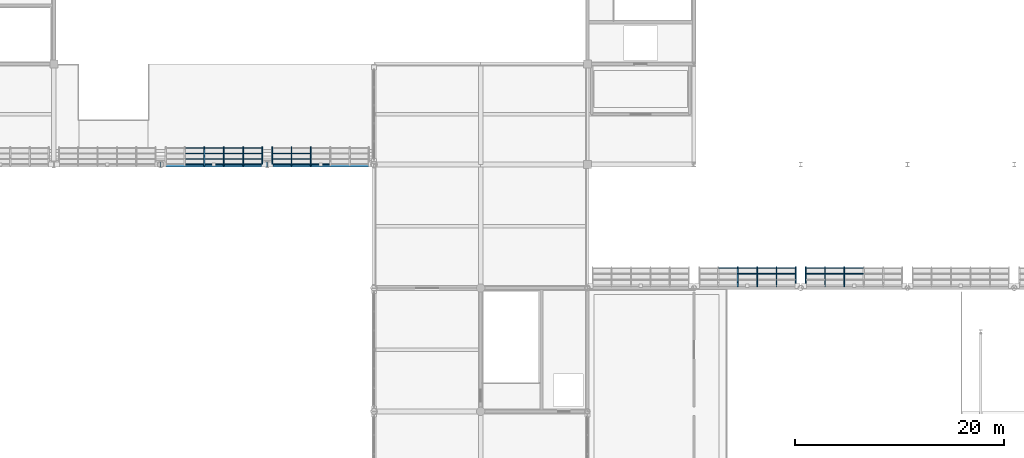
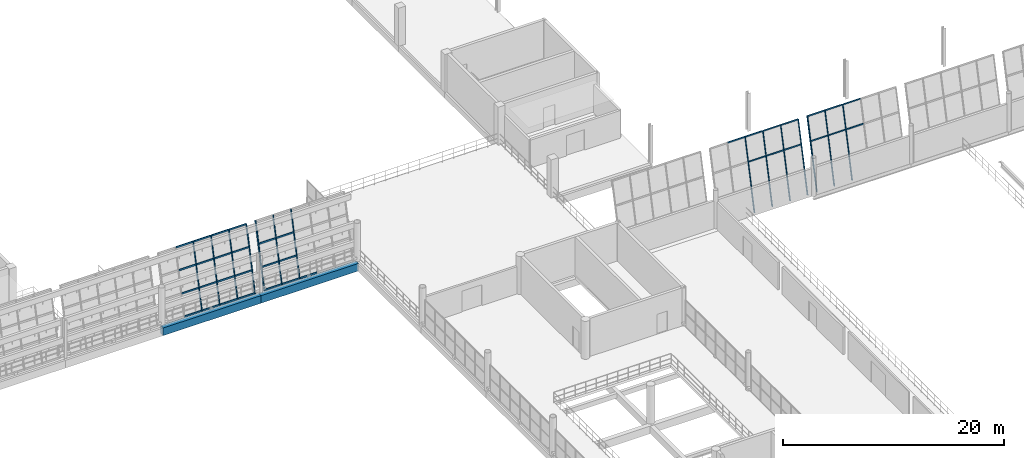
# One storey, part 79 of 157: 50 members, 2 beams, 4 elements without a shape of their own.
"""IFC4 building model written with IfcOpenShell, lengths in metres."""

from ifc_helpers import new_model, si_unit, direction, frame, origin, origin_2d, place, context, subcontext, project, spatial, rectangle, hollow_rectangle, extrude, material, material_profile, profile_set, type_object, element, aggregate, save


model = new_model("IFC4")

# Units and contexts
model_context = context("Model", 3, precision=1e-05, world=origin(), true_north=direction((0.0, 1.0)))
body_context = subcontext(model_context, "Body", "Model", "MODEL_VIEW")
ifc_project = project(units=[si_unit("LENGTHUNIT", "METRE"), si_unit("AREAUNIT", "SQUARE_METRE"), si_unit("VOLUMEUNIT", "CUBIC_METRE"), si_unit("PLANEANGLEUNIT", "RADIAN"), si_unit("MASSUNIT", "GRAM", prefix="KILO")], contexts=[model_context])

# Site, building, storey
site_placement = place(None, origin())
site = spatial("IfcSite", under=ifc_project, at=site_placement, CompositionType="ELEMENT")
building_placement = place(site_placement, origin())
building = spatial("IfcBuilding", under=site, at=building_placement, Name="Brelvane Convention Centre", CompositionType="ELEMENT")
storey_placement = place(building_placement, frame((0.0, 0.0, 10.800048828125)))
storey = spatial("IfcBuildingStorey", under=building, at=storey_placement, Name="L02", CompositionType="ELEMENT", Elevation=10.800048828125)

# Curtain wall, members
ifc_material_1 = material(Name="Anodised Aluminium Alloy 6063-T6", Category="aluminium")
curtain_wall_type = type_object("IfcCurtainWallType", Name="Curtain Wall CW-HULL-N", PredefinedType="USERDEFINED", material=ifc_material_1)
curtain_wall_1_placement = place(storey_placement, origin())
curtain_wall_1 = element("IfcCurtainWall", 1, at=curtain_wall_1_placement, inside=storey, type_object=curtain_wall_type, Name="Curtain Wall CW-HULL-N L02-V1N-HULL-13", ObjectType="UNITISED", PredefinedType="USERDEFINED")
ifc_material_2 = material(Name="Anodised Aluminium Alloy 6063-T6", Category="aluminium")
ifc_material_profile_1 = material_profile(ifc_material_2, hollow_rectangle(XDim=0.080078125, YDim=0.239990234375, WallThickness=0.006103515625, InnerFilletRadius=0.006103515625, OuterFilletRadius=0.011962890625, at=origin_2d()), Name="ALU-M 240x80x6.0")
ifc_profile_set_1 = profile_set([ifc_material_profile_1], Name="Anodised Aluminium Alloy 6063-T6")
member_type_1 = type_object("IfcMemberType", Name="Curtain Mullion CW-M1", PredefinedType="MULLION", material=ifc_profile_set_1)
member_1_placement = place(storey_placement, frame((126.570068359375, 99.60009765625, 0.0), z_axis=(0.0, 0.228324840492, 0.973585007698), x_axis=(-1.0, 0.0, 0.0)))
member_1 = element("IfcMember", 2, at=member_1_placement, type_object=member_type_1, Name="CW-HULL-N mullion 3", PredefinedType="MULLION", context=body_context, shape_type="SweptSolid", body=[
    extrude(hollow_rectangle(XDim=0.080078125, YDim=0.239990234375, WallThickness=0.006103515625, InnerFilletRadius=0.006103515625, OuterFilletRadius=0.011962890625, at=origin_2d()), origin(), (0.0, 0.0, 1.0), 6.93310546875),
])
member_2_placement = place(storey_placement, frame((128.429931640625, 99.60009765625, 0.0), z_axis=(0.0, 0.228324840492, 0.973585007698), x_axis=(-1.0, 0.0, 0.0)))
member_2 = element("IfcMember", 3, at=member_2_placement, type_object=member_type_1, Name="CW-HULL-N mullion 4", PredefinedType="MULLION", context=body_context, shape_type="SweptSolid", body=[
    extrude(hollow_rectangle(XDim=0.080078125, YDim=0.239990234375, WallThickness=0.006103515625, InnerFilletRadius=0.006103515625, OuterFilletRadius=0.011962890625, at=origin_2d()), origin(), (0.0, 0.0, 1.0), 6.93310546875),
])
member_3_placement = place(storey_placement, frame((130.2900390625, 99.60009765625, 0.0), z_axis=(0.0, 0.228324840492, 0.973585007698), x_axis=(-1.0, 0.0, 0.0)))
member_3 = element("IfcMember", 4, at=member_3_placement, type_object=member_type_1, Name="CW-HULL-N mullion 5", PredefinedType="MULLION", context=body_context, shape_type="SweptSolid", body=[
    extrude(hollow_rectangle(XDim=0.080078125, YDim=0.239990234375, WallThickness=0.006103515625, InnerFilletRadius=0.006103515625, OuterFilletRadius=0.011962890625, at=origin_2d()), origin(), (0.0, 0.0, 1.0), 6.93310546875),
])
member_4_placement = place(storey_placement, frame((132.110107421875, 99.60009765625, 0.0), z_axis=(0.0, 0.228324840492, 0.973585007698), x_axis=(-1.0, 0.0, 0.0)))
member_4 = element("IfcMember", 5, at=member_4_placement, type_object=member_type_1, Name="CW-HULL-N mullion 6", PredefinedType="MULLION", context=body_context, shape_type="SweptSolid", body=[
    extrude(hollow_rectangle(XDim=0.080078125, YDim=0.239990234375, WallThickness=0.006103515625, InnerFilletRadius=0.006103515625, OuterFilletRadius=0.011962890625, at=origin_2d()), origin(), (0.0, 0.0, 1.0), 6.93310546875),
])

curtain_wall_2_placement = place(storey_placement, origin())
curtain_wall_2 = element("IfcCurtainWall", 6, at=curtain_wall_2_placement, inside=storey, type_object=curtain_wall_type, Name="Curtain Wall CW-HULL-N L02-V1N-HULL-14", ObjectType="UNITISED", PredefinedType="USERDEFINED")
member_5_placement = place(storey_placement, frame((133.090087890625, 99.60009765625, 0.0), z_axis=(0.0, 0.228324840492, 0.973585007698), x_axis=(-1.0, 0.0, 0.0)))
member_5 = element("IfcMember", 7, at=member_5_placement, type_object=member_type_1, Name="CW-HULL-N mullion 1", PredefinedType="MULLION", context=body_context, shape_type="SweptSolid", body=[
    extrude(hollow_rectangle(XDim=0.080078125, YDim=0.239990234375, WallThickness=0.006103515625, InnerFilletRadius=0.006103515625, OuterFilletRadius=0.011962890625, at=origin_2d()), origin(), (0.0, 0.0, 1.0), 6.93310546875),
])
member_6_placement = place(storey_placement, frame((134.909912109375, 99.60009765625, 0.0), z_axis=(0.0, 0.228324840492, 0.973585007698), x_axis=(-1.0, 0.0, 0.0)))
member_6 = element("IfcMember", 8, at=member_6_placement, type_object=member_type_1, Name="CW-HULL-N mullion 2", PredefinedType="MULLION", context=body_context, shape_type="SweptSolid", body=[
    extrude(hollow_rectangle(XDim=0.080078125, YDim=0.239990234375, WallThickness=0.006103515625, InnerFilletRadius=0.006103515625, OuterFilletRadius=0.011962890625, at=origin_2d()), origin(), (0.0, 0.0, 1.0), 6.93310546875),
])
member_7_placement = place(storey_placement, frame((136.77001953125, 99.60009765625, 0.0), z_axis=(0.0, 0.228324840492, 0.973585007698), x_axis=(-1.0, 0.0, 0.0)))
member_7 = element("IfcMember", 9, at=member_7_placement, type_object=member_type_1, Name="CW-HULL-N mullion 3", PredefinedType="MULLION", context=body_context, shape_type="SweptSolid", body=[
    extrude(hollow_rectangle(XDim=0.080078125, YDim=0.239990234375, WallThickness=0.006103515625, InnerFilletRadius=0.006103515625, OuterFilletRadius=0.011962890625, at=origin_2d()), origin(), (0.0, 0.0, 1.0), 6.93310546875),
])

curtain_wall_3_placement = place(storey_placement, origin())
curtain_wall_3 = element("IfcCurtainWall", 10, at=curtain_wall_3_placement, inside=storey, type_object=curtain_wall_type, Name="Curtain Wall CW-HULL-N L02-HULL-PN-L02-2", ObjectType="UNITISED", PredefinedType="USERDEFINED")
ifc_material_3 = material(Name="Anodised Aluminium Alloy 6063-T6", Category="aluminium")
ifc_material_profile_2 = material_profile(ifc_material_3, hollow_rectangle(XDim=0.074951171875, YDim=0.199951171875, WallThickness=0.0048828125, InnerFilletRadius=0.0048828125, OuterFilletRadius=0.010009765625, at=origin_2d()), Name="ALU-M 200x75x5.0")
ifc_profile_set_2 = profile_set([ifc_material_profile_2], Name="Anodised Aluminium Alloy 6063-T6")
member_type_2 = type_object("IfcMemberType", Name="Curtain Mullion CW-M2", PredefinedType="MULLION", material=ifc_profile_set_2)
member_8_placement = place(storey_placement, frame((177.570068359375, 88.0, 0.050048828125), z_axis=(0.0, 0.228348908232, 0.973579363026), x_axis=(-1.0, 0.0, 0.0)))
member_8 = element("IfcMember", 11, at=member_8_placement, type_object=member_type_2, Name="CW-HULL-N mullion 3", PredefinedType="MULLION", context=body_context, shape_type="SweptSolid", body=[
    extrude(hollow_rectangle(XDim=0.074951171875, YDim=0.199951171875, WallThickness=0.0048828125, InnerFilletRadius=0.0048828125, OuterFilletRadius=0.010009765625, at=origin_2d()), origin(), (0.0, 0.0, 1.0), 7.54931640625),
])
member_9_placement = place(storey_placement, frame((179.429931640625, 88.0, 0.050048828125), z_axis=(0.0, 0.228348908232, 0.973579363026), x_axis=(-1.0, 0.0, 0.0)))
member_9 = element("IfcMember", 12, at=member_9_placement, type_object=member_type_2, Name="CW-HULL-N mullion 4", PredefinedType="MULLION", context=body_context, shape_type="SweptSolid", body=[
    extrude(hollow_rectangle(XDim=0.074951171875, YDim=0.199951171875, WallThickness=0.0048828125, InnerFilletRadius=0.0048828125, OuterFilletRadius=0.010009765625, at=origin_2d()), origin(), (0.0, 0.0, 1.0), 7.54931640625),
])
member_10_placement = place(storey_placement, frame((181.2900390625, 88.0, 0.050048828125), z_axis=(0.0, 0.228348908232, 0.973579363026), x_axis=(-1.0, 0.0, 0.0)))
member_10 = element("IfcMember", 13, at=member_10_placement, type_object=member_type_2, Name="CW-HULL-N mullion 5", PredefinedType="MULLION", context=body_context, shape_type="SweptSolid", body=[
    extrude(hollow_rectangle(XDim=0.074951171875, YDim=0.199951171875, WallThickness=0.0048828125, InnerFilletRadius=0.0048828125, OuterFilletRadius=0.010009765625, at=origin_2d()), origin(), (0.0, 0.0, 1.0), 7.54931640625),
])
member_11_placement = place(storey_placement, frame((183.112548828125, 88.0, 0.050048828125), z_axis=(0.0, 0.228348908232, 0.973579363026), x_axis=(-1.0, 0.0, 0.0)))
member_11 = element("IfcMember", 14, at=member_11_placement, type_object=member_type_2, Name="CW-HULL-N mullion 6", PredefinedType="MULLION", context=body_context, shape_type="SweptSolid", body=[
    extrude(hollow_rectangle(XDim=0.074951171875, YDim=0.199951171875, WallThickness=0.0048828125, InnerFilletRadius=0.0048828125, OuterFilletRadius=0.010009765625, at=origin_2d()), origin(), (0.0, 0.0, 1.0), 7.54931640625),
])

curtain_wall_4_placement = place(storey_placement, origin())
curtain_wall_4 = element("IfcCurtainWall", 15, at=curtain_wall_4_placement, inside=storey, type_object=curtain_wall_type, Name="Curtain Wall CW-HULL-N L02-HULL-PN-L02-3", ObjectType="UNITISED", PredefinedType="USERDEFINED")
member_12_placement = place(storey_placement, frame((184.08740234375, 88.0, 0.050048828125), z_axis=(0.0, 0.228348908232, 0.973579363026), x_axis=(-1.0, 0.0, 0.0)))
member_12 = element("IfcMember", 16, at=member_12_placement, type_object=member_type_2, Name="CW-HULL-N mullion 1", PredefinedType="MULLION", context=body_context, shape_type="SweptSolid", body=[
    extrude(hollow_rectangle(XDim=0.074951171875, YDim=0.199951171875, WallThickness=0.0048828125, InnerFilletRadius=0.0048828125, OuterFilletRadius=0.010009765625, at=origin_2d()), origin(), (0.0, 0.0, 1.0), 7.54931640625),
])
member_13_placement = place(storey_placement, frame((185.909912109375, 88.0, 0.050048828125), z_axis=(0.0, 0.228348908232, 0.973579363026), x_axis=(-1.0, 0.0, 0.0)))
member_13 = element("IfcMember", 17, at=member_13_placement, type_object=member_type_2, Name="CW-HULL-N mullion 2", PredefinedType="MULLION", context=body_context, shape_type="SweptSolid", body=[
    extrude(hollow_rectangle(XDim=0.074951171875, YDim=0.199951171875, WallThickness=0.0048828125, InnerFilletRadius=0.0048828125, OuterFilletRadius=0.010009765625, at=origin_2d()), origin(), (0.0, 0.0, 1.0), 7.54931640625),
])
member_14_placement = place(storey_placement, frame((187.77001953125, 88.0, 0.050048828125), z_axis=(0.0, 0.228348908232, 0.973579363026), x_axis=(-1.0, 0.0, 0.0)))
member_14 = element("IfcMember", 18, at=member_14_placement, type_object=member_type_2, Name="CW-HULL-N mullion 3", PredefinedType="MULLION", context=body_context, shape_type="SweptSolid", body=[
    extrude(hollow_rectangle(XDim=0.074951171875, YDim=0.199951171875, WallThickness=0.0048828125, InnerFilletRadius=0.0048828125, OuterFilletRadius=0.010009765625, at=origin_2d()), origin(), (0.0, 0.0, 1.0), 7.54931640625),
])

# Member
ifc_material_4 = material(Name="Anodised Aluminium Alloy 6063-T6", Category="aluminium")
ifc_material_profile_3 = material_profile(ifc_material_4, hollow_rectangle(XDim=0.080078125, YDim=0.179931640625, WallThickness=0.0048828125, InnerFilletRadius=0.0048828125, OuterFilletRadius=0.010009765625, at=origin_2d()), Name="ALU-T 180x80x5.0")
ifc_profile_set_3 = profile_set([ifc_material_profile_3], Name="Anodised Aluminium Alloy 6063-T6")
member_type_3 = type_object("IfcMemberType", Name="Curtain Transom CW-T1", PredefinedType="USERDEFINED", material=ifc_profile_set_3)
member_15_placement = place(storey_placement, frame((124.75, 99.609375, 0.0400390625), z_axis=(1.0, 0.0, 0.0), x_axis=(0.0, 1.0, 0.0)))
member_15 = element("IfcMember", 19, at=member_15_placement, type_object=member_type_3, Name="CW-HULL-N transom 2.1", ObjectType="TRANSOM", PredefinedType="USERDEFINED", context=body_context, shape_type="SweptSolid", body=[
    extrude(hollow_rectangle(XDim=0.080078125, YDim=0.179931640625, WallThickness=0.0048828125, InnerFilletRadius=0.0048828125, OuterFilletRadius=0.010009765625, at=origin_2d()), origin(), (0.0, 0.0, 1.0), 1.780029296875),
])

member_16_placement = place(storey_placement, frame((124.75, 100.127685546875, 2.25), z_axis=(1.0, 0.0, 0.0), x_axis=(0.0, 1.0, 0.0)))
member_16 = element("IfcMember", 20, at=member_16_placement, type_object=member_type_3, Name="CW-HULL-N transom 2.2", ObjectType="TRANSOM", PredefinedType="USERDEFINED", context=body_context, shape_type="SweptSolid", body=[
    extrude(hollow_rectangle(XDim=0.080078125, YDim=0.179931640625, WallThickness=0.0048828125, InnerFilletRadius=0.0048828125, OuterFilletRadius=0.010009765625, at=origin_2d()), origin(), (0.0, 0.0, 1.0), 1.780029296875),
])

member_17_placement = place(storey_placement, frame((124.75, 100.655517578125, 4.5), z_axis=(1.0, 0.0, 0.0), x_axis=(0.0, 1.0, 0.0)))
member_17 = element("IfcMember", 21, at=member_17_placement, type_object=member_type_3, Name="CW-HULL-N transom 2.3", ObjectType="TRANSOM", PredefinedType="USERDEFINED", context=body_context, shape_type="SweptSolid", body=[
    extrude(hollow_rectangle(XDim=0.080078125, YDim=0.179931640625, WallThickness=0.0048828125, InnerFilletRadius=0.0048828125, OuterFilletRadius=0.010009765625, at=origin_2d()), origin(), (0.0, 0.0, 1.0), 1.780029296875),
])

member_18_placement = place(storey_placement, frame((124.75, 101.173828125, 6.7099609375), z_axis=(1.0, 0.0, 0.0), x_axis=(0.0, 1.0, 0.0)))
member_18 = element("IfcMember", 22, at=member_18_placement, type_object=member_type_3, Name="CW-HULL-N transom 2.4", ObjectType="TRANSOM", PredefinedType="USERDEFINED", context=body_context, shape_type="SweptSolid", body=[
    extrude(hollow_rectangle(XDim=0.080078125, YDim=0.179931640625, WallThickness=0.0048828125, InnerFilletRadius=0.0048828125, OuterFilletRadius=0.010009765625, at=origin_2d()), origin(), (0.0, 0.0, 1.0), 1.780029296875),
])

member_19_placement = place(storey_placement, frame((126.610107421875, 99.609375, 0.0400390625), z_axis=(1.0, 0.0, 0.0), x_axis=(0.0, 1.0, 0.0)))
member_19 = element("IfcMember", 23, at=member_19_placement, type_object=member_type_3, Name="CW-HULL-N transom 3.1", ObjectType="TRANSOM", PredefinedType="USERDEFINED", context=body_context, shape_type="SweptSolid", body=[
    extrude(hollow_rectangle(XDim=0.080078125, YDim=0.179931640625, WallThickness=0.0048828125, InnerFilletRadius=0.0048828125, OuterFilletRadius=0.010009765625, at=origin_2d()), origin(), (0.0, 0.0, 1.0), 1.77978515625),
])

member_20_placement = place(storey_placement, frame((126.610107421875, 100.127685546875, 2.25), z_axis=(1.0, 0.0, 0.0), x_axis=(0.0, 1.0, 0.0)))
member_20 = element("IfcMember", 24, at=member_20_placement, type_object=member_type_3, Name="CW-HULL-N transom 3.2", ObjectType="TRANSOM", PredefinedType="USERDEFINED", context=body_context, shape_type="SweptSolid", body=[
    extrude(hollow_rectangle(XDim=0.080078125, YDim=0.179931640625, WallThickness=0.0048828125, InnerFilletRadius=0.0048828125, OuterFilletRadius=0.010009765625, at=origin_2d()), origin(), (0.0, 0.0, 1.0), 1.77978515625),
])

member_21_placement = place(storey_placement, frame((126.610107421875, 100.655517578125, 4.5), z_axis=(1.0, 0.0, 0.0), x_axis=(0.0, 1.0, 0.0)))
member_21 = element("IfcMember", 25, at=member_21_placement, type_object=member_type_3, Name="CW-HULL-N transom 3.3", ObjectType="TRANSOM", PredefinedType="USERDEFINED", context=body_context, shape_type="SweptSolid", body=[
    extrude(hollow_rectangle(XDim=0.080078125, YDim=0.179931640625, WallThickness=0.0048828125, InnerFilletRadius=0.0048828125, OuterFilletRadius=0.010009765625, at=origin_2d()), origin(), (0.0, 0.0, 1.0), 1.77978515625),
])

member_22_placement = place(storey_placement, frame((126.610107421875, 101.173828125, 6.7099609375), z_axis=(1.0, 0.0, 0.0), x_axis=(0.0, 1.0, 0.0)))
member_22 = element("IfcMember", 26, at=member_22_placement, type_object=member_type_3, Name="CW-HULL-N transom 3.4", ObjectType="TRANSOM", PredefinedType="USERDEFINED", context=body_context, shape_type="SweptSolid", body=[
    extrude(hollow_rectangle(XDim=0.080078125, YDim=0.179931640625, WallThickness=0.0048828125, InnerFilletRadius=0.0048828125, OuterFilletRadius=0.010009765625, at=origin_2d()), origin(), (0.0, 0.0, 1.0), 1.77978515625),
])

member_23_placement = place(storey_placement, frame((128.469970703125, 99.609375, 0.0400390625), z_axis=(1.0, 0.0, 0.0), x_axis=(0.0, 1.0, 0.0)))
member_23 = element("IfcMember", 27, at=member_23_placement, type_object=member_type_3, Name="CW-HULL-N transom 4.1", ObjectType="TRANSOM", PredefinedType="USERDEFINED", context=body_context, shape_type="SweptSolid", body=[
    extrude(hollow_rectangle(XDim=0.080078125, YDim=0.179931640625, WallThickness=0.0048828125, InnerFilletRadius=0.0048828125, OuterFilletRadius=0.010009765625, at=origin_2d()), origin(), (0.0, 0.0, 1.0), 1.780029296875),
])

member_24_placement = place(storey_placement, frame((128.469970703125, 100.127685546875, 2.25), z_axis=(1.0, 0.0, 0.0), x_axis=(0.0, 1.0, 0.0)))
member_24 = element("IfcMember", 28, at=member_24_placement, type_object=member_type_3, Name="CW-HULL-N transom 4.2", ObjectType="TRANSOM", PredefinedType="USERDEFINED", context=body_context, shape_type="SweptSolid", body=[
    extrude(hollow_rectangle(XDim=0.080078125, YDim=0.179931640625, WallThickness=0.0048828125, InnerFilletRadius=0.0048828125, OuterFilletRadius=0.010009765625, at=origin_2d()), origin(), (0.0, 0.0, 1.0), 1.780029296875),
])

member_25_placement = place(storey_placement, frame((128.469970703125, 100.655517578125, 4.5), z_axis=(1.0, 0.0, 0.0), x_axis=(0.0, 1.0, 0.0)))
member_25 = element("IfcMember", 29, at=member_25_placement, type_object=member_type_3, Name="CW-HULL-N transom 4.3", ObjectType="TRANSOM", PredefinedType="USERDEFINED", context=body_context, shape_type="SweptSolid", body=[
    extrude(hollow_rectangle(XDim=0.080078125, YDim=0.179931640625, WallThickness=0.0048828125, InnerFilletRadius=0.0048828125, OuterFilletRadius=0.010009765625, at=origin_2d()), origin(), (0.0, 0.0, 1.0), 1.780029296875),
])

member_26_placement = place(storey_placement, frame((128.469970703125, 101.173828125, 6.7099609375), z_axis=(1.0, 0.0, 0.0), x_axis=(0.0, 1.0, 0.0)))
member_26 = element("IfcMember", 30, at=member_26_placement, type_object=member_type_3, Name="CW-HULL-N transom 4.4", ObjectType="TRANSOM", PredefinedType="USERDEFINED", context=body_context, shape_type="SweptSolid", body=[
    extrude(hollow_rectangle(XDim=0.080078125, YDim=0.179931640625, WallThickness=0.0048828125, InnerFilletRadius=0.0048828125, OuterFilletRadius=0.010009765625, at=origin_2d()), origin(), (0.0, 0.0, 1.0), 1.780029296875),
])

member_27_placement = place(storey_placement, frame((130.330078125, 99.609375, 0.0400390625), z_axis=(1.0, 0.0, 0.0), x_axis=(0.0, 1.0, 0.0)))
member_27 = element("IfcMember", 31, at=member_27_placement, type_object=member_type_3, Name="CW-HULL-N transom 5.1", ObjectType="TRANSOM", PredefinedType="USERDEFINED", context=body_context, shape_type="SweptSolid", body=[
    extrude(hollow_rectangle(XDim=0.080078125, YDim=0.179931640625, WallThickness=0.0048828125, InnerFilletRadius=0.0048828125, OuterFilletRadius=0.010009765625, at=origin_2d()), origin(), (0.0, 0.0, 1.0), 1.739990234375),
])

member_28_placement = place(storey_placement, frame((130.330078125, 100.127685546875, 2.25), z_axis=(1.0, 0.0, 0.0), x_axis=(0.0, 1.0, 0.0)))
member_28 = element("IfcMember", 32, at=member_28_placement, type_object=member_type_3, Name="CW-HULL-N transom 5.2", ObjectType="TRANSOM", PredefinedType="USERDEFINED", context=body_context, shape_type="SweptSolid", body=[
    extrude(hollow_rectangle(XDim=0.080078125, YDim=0.179931640625, WallThickness=0.0048828125, InnerFilletRadius=0.0048828125, OuterFilletRadius=0.010009765625, at=origin_2d()), origin(), (0.0, 0.0, 1.0), 1.739990234375),
])

member_29_placement = place(storey_placement, frame((130.330078125, 100.655517578125, 4.5), z_axis=(1.0, 0.0, 0.0), x_axis=(0.0, 1.0, 0.0)))
member_29 = element("IfcMember", 33, at=member_29_placement, type_object=member_type_3, Name="CW-HULL-N transom 5.3", ObjectType="TRANSOM", PredefinedType="USERDEFINED", context=body_context, shape_type="SweptSolid", body=[
    extrude(hollow_rectangle(XDim=0.080078125, YDim=0.179931640625, WallThickness=0.0048828125, InnerFilletRadius=0.0048828125, OuterFilletRadius=0.010009765625, at=origin_2d()), origin(), (0.0, 0.0, 1.0), 1.739990234375),
])

member_30_placement = place(storey_placement, frame((130.330078125, 101.173828125, 6.7099609375), z_axis=(1.0, 0.0, 0.0), x_axis=(0.0, 1.0, 0.0)))
member_30 = element("IfcMember", 34, at=member_30_placement, type_object=member_type_3, Name="CW-HULL-N transom 5.4", ObjectType="TRANSOM", PredefinedType="USERDEFINED", context=body_context, shape_type="SweptSolid", body=[
    extrude(hollow_rectangle(XDim=0.080078125, YDim=0.179931640625, WallThickness=0.0048828125, InnerFilletRadius=0.0048828125, OuterFilletRadius=0.010009765625, at=origin_2d()), origin(), (0.0, 0.0, 1.0), 1.739990234375),
])

aggregate(curtain_wall_1, [member_1, member_2, member_3, member_4, member_15, member_16, member_17, member_18, member_19, member_20, member_21, member_22, member_23, member_24, member_25, member_26, member_27, member_28, member_29, member_30])

member_31_placement = place(storey_placement, frame((133.1298828125, 99.609375, 0.0400390625), z_axis=(1.0, 0.0, 0.0), x_axis=(0.0, 1.0, 0.0)))
member_31 = element("IfcMember", 35, at=member_31_placement, type_object=member_type_3, Name="CW-HULL-N transom 1.1", ObjectType="TRANSOM", PredefinedType="USERDEFINED", context=body_context, shape_type="SweptSolid", body=[
    extrude(hollow_rectangle(XDim=0.080078125, YDim=0.179931640625, WallThickness=0.0048828125, InnerFilletRadius=0.0048828125, OuterFilletRadius=0.010009765625, at=origin_2d()), origin(), (0.0, 0.0, 1.0), 1.740234375),
])

member_32_placement = place(storey_placement, frame((133.1298828125, 100.127685546875, 2.25), z_axis=(1.0, 0.0, 0.0), x_axis=(0.0, 1.0, 0.0)))
member_32 = element("IfcMember", 36, at=member_32_placement, type_object=member_type_3, Name="CW-HULL-N transom 1.2", ObjectType="TRANSOM", PredefinedType="USERDEFINED", context=body_context, shape_type="SweptSolid", body=[
    extrude(hollow_rectangle(XDim=0.080078125, YDim=0.179931640625, WallThickness=0.0048828125, InnerFilletRadius=0.0048828125, OuterFilletRadius=0.010009765625, at=origin_2d()), origin(), (0.0, 0.0, 1.0), 1.740234375),
])

member_33_placement = place(storey_placement, frame((133.1298828125, 100.655517578125, 4.5), z_axis=(1.0, 0.0, 0.0), x_axis=(0.0, 1.0, 0.0)))
member_33 = element("IfcMember", 37, at=member_33_placement, type_object=member_type_3, Name="CW-HULL-N transom 1.3", ObjectType="TRANSOM", PredefinedType="USERDEFINED", context=body_context, shape_type="SweptSolid", body=[
    extrude(hollow_rectangle(XDim=0.080078125, YDim=0.179931640625, WallThickness=0.0048828125, InnerFilletRadius=0.0048828125, OuterFilletRadius=0.010009765625, at=origin_2d()), origin(), (0.0, 0.0, 1.0), 1.740234375),
])

member_34_placement = place(storey_placement, frame((134.949951171875, 99.609375, 0.0400390625), z_axis=(1.0, 0.0, 0.0), x_axis=(0.0, 1.0, 0.0)))
member_34 = element("IfcMember", 38, at=member_34_placement, type_object=member_type_3, Name="CW-HULL-N transom 2.1", ObjectType="TRANSOM", PredefinedType="USERDEFINED", context=body_context, shape_type="SweptSolid", body=[
    extrude(hollow_rectangle(XDim=0.080078125, YDim=0.179931640625, WallThickness=0.0048828125, InnerFilletRadius=0.0048828125, OuterFilletRadius=0.010009765625, at=origin_2d()), origin(), (0.0, 0.0, 1.0), 1.780029296875),
])

member_35_placement = place(storey_placement, frame((134.949951171875, 100.127685546875, 2.25), z_axis=(1.0, 0.0, 0.0), x_axis=(0.0, 1.0, 0.0)))
member_35 = element("IfcMember", 39, at=member_35_placement, type_object=member_type_3, Name="CW-HULL-N transom 2.2", ObjectType="TRANSOM", PredefinedType="USERDEFINED", context=body_context, shape_type="SweptSolid", body=[
    extrude(hollow_rectangle(XDim=0.080078125, YDim=0.179931640625, WallThickness=0.0048828125, InnerFilletRadius=0.0048828125, OuterFilletRadius=0.010009765625, at=origin_2d()), origin(), (0.0, 0.0, 1.0), 1.780029296875),
])

member_36_placement = place(storey_placement, frame((134.949951171875, 100.655517578125, 4.5), z_axis=(1.0, 0.0, 0.0), x_axis=(0.0, 1.0, 0.0)))
member_36 = element("IfcMember", 40, at=member_36_placement, type_object=member_type_3, Name="CW-HULL-N transom 2.3", ObjectType="TRANSOM", PredefinedType="USERDEFINED", context=body_context, shape_type="SweptSolid", body=[
    extrude(hollow_rectangle(XDim=0.080078125, YDim=0.179931640625, WallThickness=0.0048828125, InnerFilletRadius=0.0048828125, OuterFilletRadius=0.010009765625, at=origin_2d()), origin(), (0.0, 0.0, 1.0), 1.780029296875),
])

member_37_placement = place(storey_placement, frame((136.81005859375, 99.609375, 0.0400390625), z_axis=(1.0, 0.0, 0.0), x_axis=(0.0, 1.0, 0.0)))
member_37 = element("IfcMember", 41, at=member_37_placement, type_object=member_type_3, Name="CW-HULL-N transom 3.1", ObjectType="TRANSOM", PredefinedType="USERDEFINED", context=body_context, shape_type="SweptSolid", body=[
    extrude(hollow_rectangle(XDim=0.080078125, YDim=0.179931640625, WallThickness=0.0048828125, InnerFilletRadius=0.0048828125, OuterFilletRadius=0.010009765625, at=origin_2d()), origin(), (0.0, 0.0, 1.0), 1.780029296875),
])

aggregate(curtain_wall_2, [member_5, member_6, member_7, member_31, member_32, member_33, member_34, member_35, member_36, member_37])

ifc_material_5 = material(Name="Anodised Aluminium Alloy 6063-T6", Category="aluminium")
ifc_material_profile_4 = material_profile(ifc_material_5, hollow_rectangle(XDim=0.070068359375, YDim=0.14990234375, WallThickness=0.00439453125, InnerFilletRadius=0.00439453125, OuterFilletRadius=0.009033203125, at=origin_2d()), Name="ALU-T 150x70x4.5")
ifc_profile_set_4 = profile_set([ifc_material_profile_4], Name="Anodised Aluminium Alloy 6063-T6")
member_type_4 = type_object("IfcMemberType", Name="Curtain Transom CW-T2", PredefinedType="USERDEFINED", material=ifc_profile_set_4)
member_38_placement = place(storey_placement, frame((175.74755859375, 89.7158203125, 7.364990234375), z_axis=(1.0, 0.0, 0.0), x_axis=(0.0, 1.0, 0.0)))
member_38 = element("IfcMember", 42, at=member_38_placement, type_object=member_type_4, Name="CW-HULL-N transom 2.4", ObjectType="TRANSOM", PredefinedType="USERDEFINED", context=body_context, shape_type="SweptSolid", body=[
    extrude(hollow_rectangle(XDim=0.070068359375, YDim=0.14990234375, WallThickness=0.00439453125, InnerFilletRadius=0.00439453125, OuterFilletRadius=0.009033203125, at=origin_2d()), origin(), (0.0, 0.0, 1.0), 1.784912109375),
])

member_39_placement = place(storey_placement, frame((177.607421875, 89.149169921875, 4.949951171875), z_axis=(1.0, 0.0, 0.0), x_axis=(0.0, 1.0, 0.0)))
member_39 = element("IfcMember", 43, at=member_39_placement, type_object=member_type_4, Name="CW-HULL-N transom 3.3", ObjectType="TRANSOM", PredefinedType="USERDEFINED", context=body_context, shape_type="SweptSolid", body=[
    extrude(hollow_rectangle(XDim=0.070068359375, YDim=0.14990234375, WallThickness=0.00439453125, InnerFilletRadius=0.00439453125, OuterFilletRadius=0.009033203125, at=origin_2d()), origin(), (0.0, 0.0, 1.0), 1.78515625),
])

member_40_placement = place(storey_placement, frame((177.607421875, 89.7158203125, 7.364990234375), z_axis=(1.0, 0.0, 0.0), x_axis=(0.0, 1.0, 0.0)))
member_40 = element("IfcMember", 44, at=member_40_placement, type_object=member_type_4, Name="CW-HULL-N transom 3.4", ObjectType="TRANSOM", PredefinedType="USERDEFINED", context=body_context, shape_type="SweptSolid", body=[
    extrude(hollow_rectangle(XDim=0.070068359375, YDim=0.14990234375, WallThickness=0.00439453125, InnerFilletRadius=0.00439453125, OuterFilletRadius=0.009033203125, at=origin_2d()), origin(), (0.0, 0.0, 1.0), 1.78515625),
])

member_41_placement = place(storey_placement, frame((179.467529296875, 89.149169921875, 4.949951171875), z_axis=(1.0, 0.0, 0.0), x_axis=(0.0, 1.0, 0.0)))
member_41 = element("IfcMember", 45, at=member_41_placement, type_object=member_type_4, Name="CW-HULL-N transom 4.3", ObjectType="TRANSOM", PredefinedType="USERDEFINED", context=body_context, shape_type="SweptSolid", body=[
    extrude(hollow_rectangle(XDim=0.070068359375, YDim=0.14990234375, WallThickness=0.00439453125, InnerFilletRadius=0.00439453125, OuterFilletRadius=0.009033203125, at=origin_2d()), origin(), (0.0, 0.0, 1.0), 1.784912109375),
])

member_42_placement = place(storey_placement, frame((179.467529296875, 89.7158203125, 7.364990234375), z_axis=(1.0, 0.0, 0.0), x_axis=(0.0, 1.0, 0.0)))
member_42 = element("IfcMember", 46, at=member_42_placement, type_object=member_type_4, Name="CW-HULL-N transom 4.4", ObjectType="TRANSOM", PredefinedType="USERDEFINED", context=body_context, shape_type="SweptSolid", body=[
    extrude(hollow_rectangle(XDim=0.070068359375, YDim=0.14990234375, WallThickness=0.00439453125, InnerFilletRadius=0.00439453125, OuterFilletRadius=0.009033203125, at=origin_2d()), origin(), (0.0, 0.0, 1.0), 1.784912109375),
])

member_43_placement = place(storey_placement, frame((181.327392578125, 89.149169921875, 4.949951171875), z_axis=(1.0, 0.0, 0.0), x_axis=(0.0, 1.0, 0.0)))
member_43 = element("IfcMember", 47, at=member_43_placement, type_object=member_type_4, Name="CW-HULL-N transom 5.3", ObjectType="TRANSOM", PredefinedType="USERDEFINED", context=body_context, shape_type="SweptSolid", body=[
    extrude(hollow_rectangle(XDim=0.070068359375, YDim=0.14990234375, WallThickness=0.00439453125, InnerFilletRadius=0.00439453125, OuterFilletRadius=0.009033203125, at=origin_2d()), origin(), (0.0, 0.0, 1.0), 1.74755859375),
])

member_44_placement = place(storey_placement, frame((181.327392578125, 89.7158203125, 7.364990234375), z_axis=(1.0, 0.0, 0.0), x_axis=(0.0, 1.0, 0.0)))
member_44 = element("IfcMember", 48, at=member_44_placement, type_object=member_type_4, Name="CW-HULL-N transom 5.4", ObjectType="TRANSOM", PredefinedType="USERDEFINED", context=body_context, shape_type="SweptSolid", body=[
    extrude(hollow_rectangle(XDim=0.070068359375, YDim=0.14990234375, WallThickness=0.00439453125, InnerFilletRadius=0.00439453125, OuterFilletRadius=0.009033203125, at=origin_2d()), origin(), (0.0, 0.0, 1.0), 1.74755859375),
])

aggregate(curtain_wall_3, [member_8, member_9, member_10, member_11, member_38, member_39, member_40, member_41, member_42, member_43, member_44])

member_45_placement = place(storey_placement, frame((184.125, 89.149169921875, 4.949951171875), z_axis=(1.0, 0.0, 0.0), x_axis=(0.0, 1.0, 0.0)))
member_45 = element("IfcMember", 49, at=member_45_placement, type_object=member_type_4, Name="CW-HULL-N transom 1.3", ObjectType="TRANSOM", PredefinedType="USERDEFINED", context=body_context, shape_type="SweptSolid", body=[
    extrude(hollow_rectangle(XDim=0.070068359375, YDim=0.14990234375, WallThickness=0.00439453125, InnerFilletRadius=0.00439453125, OuterFilletRadius=0.009033203125, at=origin_2d()), origin(), (0.0, 0.0, 1.0), 1.74755859375),
])

member_46_placement = place(storey_placement, frame((184.125, 89.7158203125, 7.364990234375), z_axis=(1.0, 0.0, 0.0), x_axis=(0.0, 1.0, 0.0)))
member_46 = element("IfcMember", 50, at=member_46_placement, type_object=member_type_4, Name="CW-HULL-N transom 1.4", ObjectType="TRANSOM", PredefinedType="USERDEFINED", context=body_context, shape_type="SweptSolid", body=[
    extrude(hollow_rectangle(XDim=0.070068359375, YDim=0.14990234375, WallThickness=0.00439453125, InnerFilletRadius=0.00439453125, OuterFilletRadius=0.009033203125, at=origin_2d()), origin(), (0.0, 0.0, 1.0), 1.74755859375),
])

member_47_placement = place(storey_placement, frame((185.947509765625, 89.149169921875, 4.949951171875), z_axis=(1.0, 0.0, 0.0), x_axis=(0.0, 1.0, 0.0)))
member_47 = element("IfcMember", 51, at=member_47_placement, type_object=member_type_4, Name="CW-HULL-N transom 2.3", ObjectType="TRANSOM", PredefinedType="USERDEFINED", context=body_context, shape_type="SweptSolid", body=[
    extrude(hollow_rectangle(XDim=0.070068359375, YDim=0.14990234375, WallThickness=0.00439453125, InnerFilletRadius=0.00439453125, OuterFilletRadius=0.009033203125, at=origin_2d()), origin(), (0.0, 0.0, 1.0), 1.784912109375),
])

member_48_placement = place(storey_placement, frame((185.947509765625, 89.7158203125, 7.364990234375), z_axis=(1.0, 0.0, 0.0), x_axis=(0.0, 1.0, 0.0)))
member_48 = element("IfcMember", 52, at=member_48_placement, type_object=member_type_4, Name="CW-HULL-N transom 2.4", ObjectType="TRANSOM", PredefinedType="USERDEFINED", context=body_context, shape_type="SweptSolid", body=[
    extrude(hollow_rectangle(XDim=0.070068359375, YDim=0.14990234375, WallThickness=0.00439453125, InnerFilletRadius=0.00439453125, OuterFilletRadius=0.009033203125, at=origin_2d()), origin(), (0.0, 0.0, 1.0), 1.784912109375),
])

member_49_placement = place(storey_placement, frame((187.8076171875, 89.149169921875, 4.949951171875), z_axis=(1.0, 0.0, 0.0), x_axis=(0.0, 1.0, 0.0)))
member_49 = element("IfcMember", 53, at=member_49_placement, type_object=member_type_4, Name="CW-HULL-N transom 3.3", ObjectType="TRANSOM", PredefinedType="USERDEFINED", context=body_context, shape_type="SweptSolid", body=[
    extrude(hollow_rectangle(XDim=0.070068359375, YDim=0.14990234375, WallThickness=0.00439453125, InnerFilletRadius=0.00439453125, OuterFilletRadius=0.009033203125, at=origin_2d()), origin(), (0.0, 0.0, 1.0), 1.784912109375),
])

member_50_placement = place(storey_placement, frame((187.8076171875, 89.7158203125, 7.364990234375), z_axis=(1.0, 0.0, 0.0), x_axis=(0.0, 1.0, 0.0)))
member_50 = element("IfcMember", 54, at=member_50_placement, type_object=member_type_4, Name="CW-HULL-N transom 3.4", ObjectType="TRANSOM", PredefinedType="USERDEFINED", context=body_context, shape_type="SweptSolid", body=[
    extrude(hollow_rectangle(XDim=0.070068359375, YDim=0.14990234375, WallThickness=0.00439453125, InnerFilletRadius=0.00439453125, OuterFilletRadius=0.009033203125, at=origin_2d()), origin(), (0.0, 0.0, 1.0), 1.784912109375),
])

aggregate(curtain_wall_4, [member_12, member_13, member_14, member_45, member_46, member_47, member_48, member_49, member_50])

# Beams
ifc_material_6 = material(Name="Concrete M40", Category="concrete")
ifc_material_profile_5 = material_profile(ifc_material_6, rectangle(XDim=0.4599609375, YDim=0.840087890625, at=origin_2d()), Name="RC 460x840")
ifc_profile_set_5 = profile_set([ifc_material_profile_5], Name="Concrete M40")
beam_type = type_object("IfcBeamType", Name="RC Beam B-RC11 (RC 460x840)", PredefinedType="BEAM", material=ifc_profile_set_5)
beam_1_placement = place(storey_placement, frame((122.39990234375, 99.60009765625, -0.699951171875), z_axis=(1.0, 0.0, 0.0), x_axis=(0.0, 1.0, 0.0)))
element("IfcBeam", 55, at=beam_1_placement, inside=storey, type_object=beam_type, Name="L02 Beam 13-14/K", PredefinedType="BEAM", context=body_context, shape_type="SweptSolid", body=[
    extrude(rectangle(XDim=0.4599609375, YDim=0.840087890625, at=origin_2d()), origin(), (0.0, 0.0, 1.0), 10.2001953125),
])
beam_2_placement = place(storey_placement, frame((132.60009765625, 99.60009765625, -0.699951171875), z_axis=(1.0, 0.0, 0.0), x_axis=(0.0, 1.0, 0.0)))
element("IfcBeam", 56, at=beam_2_placement, inside=storey, type_object=beam_type, Name="L02 Beam 14-15/K", PredefinedType="BEAM", context=body_context, shape_type="SweptSolid", body=[
    extrude(rectangle(XDim=0.4599609375, YDim=0.840087890625, at=origin_2d()), origin(), (0.0, 0.0, 1.0), 10.199951171875),
])

save(model, "model.ifc")
